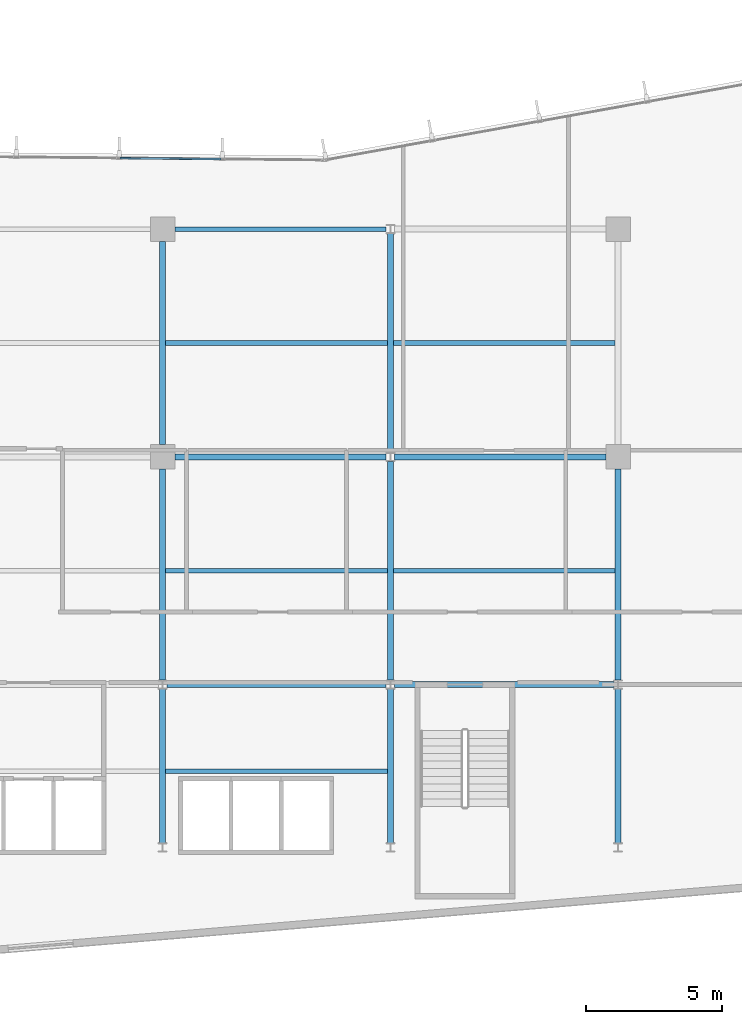
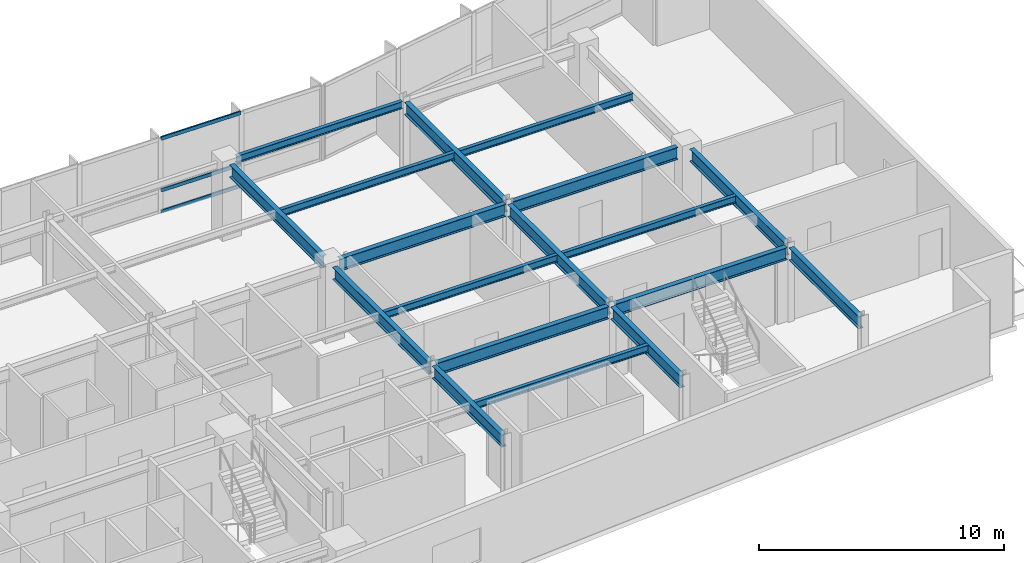
# One storey, part 5 of 18: 18 beams, 3 members, 1 element without a shape of its own.
"""IFC4 building model written with IfcOpenShell, lengths in metres."""

from ifc_helpers import new_model, si_unit, direction, frame, origin, origin_2d, place, context, subcontext, project, spatial, hollow_rectangle, i_section, extrude, material, layer, layer_set, material_profile, profile_set, type_object, element, aggregate, save


model = new_model("IFC4")

# Units and contexts
model_context = context("Model", 3, precision=1e-05, world=origin(), true_north=direction((0.0, 1.0)))
body_context = subcontext(model_context, "Body", "Model", "MODEL_VIEW")
ifc_project = project(units=[si_unit("LENGTHUNIT", "METRE"), si_unit("AREAUNIT", "SQUARE_METRE"), si_unit("VOLUMEUNIT", "CUBIC_METRE"), si_unit("PLANEANGLEUNIT", "RADIAN"), si_unit("MASSUNIT", "GRAM", prefix="KILO")], contexts=[model_context])

# Site, building, storey
site_placement = place(None, origin())
site = spatial("IfcSite", under=ifc_project, at=site_placement, CompositionType="ELEMENT")
building_placement = place(site_placement, origin())
building = spatial("IfcBuilding", under=site, at=building_placement, Name="Varnakote Quay Hospital", CompositionType="ELEMENT")
storey_placement = place(building_placement, frame((0.0, 0.0, 69.89990234375)))
storey = spatial("IfcBuildingStorey", under=building, at=storey_placement, Name="L17", CompositionType="ELEMENT", Elevation=69.89990234375)

# Beams
ifc_material_1 = material(Name="Structural steel AS/NZS 3679.1 Grade 350 L0 (fy 340 MPa)", Category="steel")
ifc_material_profile_1 = material_profile(ifc_material_1, i_section(OverallWidth=0.22900390625, OverallDepth=0.612060546875, WebThickness=0.011962890625, FlangeThickness=0.01953125, FilletRadius=0.013916015625, at=origin_2d()), Name="610UB125")
ifc_profile_set_1 = profile_set([ifc_material_profile_1], Name="Structural steel AS/NZS 3679.1 Grade 350 L0 (fy 340 MPa)")
beam_type_1 = type_object("IfcBeamType", Name="BM-STL-610UB125", PredefinedType="BEAM", material=ifc_profile_set_1)
for number, where, z_axis, x_axis, name in (
    (1, (33.755615234375, 12.0, 3.404052734375), (1.0, 0.0, 0.0), (0.0, 1.0, 0.0), "L17 Primary Floor Beam"),
    (2, (42.155517578125, 12.0, 3.404052734375), (1.0, 0.0, 0.0), (0.0, 1.0, 0.0), "L17 Primary Floor Beam"),
):
    element("IfcBeam", number, at=place(storey_placement, frame(where, z_axis=z_axis, x_axis=x_axis)), inside=storey, type_object=beam_type_1, Name=name, PredefinedType="BEAM", context=body_context, shape_type="SweptSolid", body=[
        extrude(i_section(OverallWidth=0.22900390625, OverallDepth=0.612060546875, WebThickness=0.011962890625, FlangeThickness=0.01953125, FilletRadius=0.013916015625, at=origin_2d()), origin(), (0.0, 0.0, 1.0), 8.0888671875),
    ])
for number, where, z_axis, x_axis, name in (
    (3, (34.050048828125, 20.39990234375, 3.404052734375), (1.0, 0.0, 0.0), (0.0, 1.0, 0.0), "L17 Primary Floor Beam"),
    (4, (42.155517578125, 20.39990234375, 3.404052734375), (1.0, 0.0, 0.0), (0.0, 1.0, 0.0), "L17 Primary Floor Beam"),
):
    element("IfcBeam", number, at=place(storey_placement, frame(where, z_axis=z_axis, x_axis=x_axis)), inside=storey, type_object=beam_type_1, Name=name, PredefinedType="BEAM", context=body_context, shape_type="SweptSolid", body=[
        extrude(i_section(OverallWidth=0.22900390625, OverallDepth=0.612060546875, WebThickness=0.011962890625, FlangeThickness=0.01953125, FilletRadius=0.013916015625, at=origin_2d()), origin(), (0.0, 0.0, 1.0), 7.79443359375),
    ])
beam_1_placement = place(storey_placement, frame((33.60009765625, 6.16357421875, 3.404052734375), z_axis=(0.0, 1.0, 0.0), x_axis=(-1.0, 0.0, 0.0)))
element("IfcBeam", 5, at=beam_1_placement, inside=storey, type_object=beam_type_1, Name="L17 Primary Tie Beam", PredefinedType="BEAM", context=body_context, shape_type="SweptSolid", body=[
    extrude(i_section(OverallWidth=0.22900390625, OverallDepth=0.612060546875, WebThickness=0.011962890625, FlangeThickness=0.01953125, FilletRadius=0.013916015625, at=origin_2d()), origin(), (0.0, 0.0, 1.0), 5.6728515625),
])
beam_2_placement = place(storey_placement, frame((33.60009765625, 12.16357421875, 3.404052734375), z_axis=(0.0, 1.0, 0.0), x_axis=(-1.0, 0.0, 0.0)))
element("IfcBeam", 6, at=beam_2_placement, inside=storey, type_object=beam_type_1, Name="L17 Primary Tie Beam", PredefinedType="BEAM", context=body_context, shape_type="SweptSolid", body=[
    extrude(i_section(OverallWidth=0.22900390625, OverallDepth=0.612060546875, WebThickness=0.011962890625, FlangeThickness=0.01953125, FilletRadius=0.013916015625, at=origin_2d()), origin(), (0.0, 0.0, 1.0), 7.786376953125),
])
beam_3_placement = place(storey_placement, frame((33.60009765625, 20.85009765625, 3.404052734375), z_axis=(0.0, 1.0, 0.0), x_axis=(-1.0, 0.0, 0.0)))
element("IfcBeam", 7, at=beam_3_placement, inside=storey, type_object=beam_type_1, Name="L17 Primary Tie Beam", PredefinedType="BEAM", context=body_context, shape_type="SweptSolid", body=[
    extrude(i_section(OverallWidth=0.22900390625, OverallDepth=0.612060546875, WebThickness=0.011962890625, FlangeThickness=0.01953125, FilletRadius=0.013916015625, at=origin_2d()), origin(), (0.0, 0.0, 1.0), 7.5),
])
beam_4_placement = place(storey_placement, frame((42.0, 6.16357421875, 3.404052734375), z_axis=(0.0, 1.0, 0.0), x_axis=(-1.0, 0.0, 0.0)))
element("IfcBeam", 8, at=beam_4_placement, inside=storey, type_object=beam_type_1, Name="L17 Primary Tie Beam", PredefinedType="BEAM", context=body_context, shape_type="SweptSolid", body=[
    extrude(i_section(OverallWidth=0.22900390625, OverallDepth=0.612060546875, WebThickness=0.011962890625, FlangeThickness=0.01953125, FilletRadius=0.013916015625, at=origin_2d()), origin(), (0.0, 0.0, 1.0), 5.6728515625),
])
for number, where, z_axis, x_axis, name in (
    (9, (42.0, 12.16357421875, 3.404052734375), (0.0, 1.0, 0.0), (-1.0, 0.0, 0.0), "L17 Primary Tie Beam"),
    (10, (42.0, 20.5634765625, 3.404052734375), (0.0, 1.0, 0.0), (-1.0, 0.0, 0.0), "L17 Primary Tie Beam"),
):
    element("IfcBeam", number, at=place(storey_placement, frame(where, z_axis=z_axis, x_axis=x_axis)), inside=storey, type_object=beam_type_1, Name=name, PredefinedType="BEAM", context=body_context, shape_type="SweptSolid", body=[
        extrude(i_section(OverallWidth=0.22900390625, OverallDepth=0.612060546875, WebThickness=0.011962890625, FlangeThickness=0.01953125, FilletRadius=0.013916015625, at=origin_2d()), origin(), (0.0, 0.0, 1.0), 8.072998046875),
    ])
beam_5_placement = place(storey_placement, frame((50.39990234375, 6.16357421875, 3.404052734375), z_axis=(0.0, 1.0, 0.0), x_axis=(-1.0, 0.0, 0.0)))
element("IfcBeam", 11, at=beam_5_placement, inside=storey, type_object=beam_type_1, Name="L17 Primary Tie Beam", PredefinedType="BEAM", context=body_context, shape_type="SweptSolid", body=[
    extrude(i_section(OverallWidth=0.22900390625, OverallDepth=0.612060546875, WebThickness=0.011962890625, FlangeThickness=0.01953125, FilletRadius=0.013916015625, at=origin_2d()), origin(), (0.0, 0.0, 1.0), 5.6728515625),
])
beam_6_placement = place(storey_placement, frame((50.39990234375, 12.16357421875, 3.404052734375), z_axis=(0.0, 1.0, 0.0), x_axis=(-1.0, 0.0, 0.0)))
element("IfcBeam", 12, at=beam_6_placement, inside=storey, type_object=beam_type_1, Name="L17 Primary Tie Beam", PredefinedType="BEAM", context=body_context, shape_type="SweptSolid", body=[
    extrude(i_section(OverallWidth=0.22900390625, OverallDepth=0.612060546875, WebThickness=0.011962890625, FlangeThickness=0.01953125, FilletRadius=0.013916015625, at=origin_2d()), origin(), (0.0, 0.0, 1.0), 7.786376953125),
])

# Curtain wall, members
ifc_material_2 = material(Name="Anodised aluminium 6063-T6 Bronze", Category="aluminium")
ifc_layer = layer(ifc_material_2, 0.18994140625)
ifc_layer_set = layer_set([ifc_layer], Name="Anodised aluminium 6063-T6 Bronze")
curtain_wall_type = type_object("IfcCurtainWallType", Name="CW-SYS-2", PredefinedType="NOTDEFINED", material=ifc_layer_set)
curtain_wall_placement = place(storey_placement, origin())
curtain_wall = element("IfcCurtainWall", 13, at=curtain_wall_placement, inside=storey, type_object=curtain_wall_type, Name="L17 Unitised Bronze Curtain Wall 2", PredefinedType="NOTDEFINED")
ifc_material_3 = material(Name="Anodised aluminium 6063-T6 Bronze", Category="aluminium")
ifc_material_profile_2 = material_profile(ifc_material_3, hollow_rectangle(XDim=0.074951171875, YDim=0.179931640625, WallThickness=0.004150390625, InnerFilletRadius=0.004150390625, OuterFilletRadius=0.00830078125, at=origin_2d()), Name="CW-TRAN-180x75")
ifc_profile_set_2 = profile_set([ifc_material_profile_2], Name="Anodised aluminium 6063-T6 Bronze")
member_type = type_object("IfcMemberType", Name="CW-TRAN-180x75", PredefinedType="USERDEFINED", material=ifc_profile_set_2)
member_1_placement = place(storey_placement, frame((35.756591796875, 31.38134765625, 0.03759765625), z_axis=(-0.999952203239, 0.009777077123, 0.0), x_axis=(-0.009777077123, -0.999952203239, 0.0)))
member_1 = element("IfcMember", 14, at=member_1_placement, type_object=member_type, Name="-2-L17-2 transom 2.1", ObjectType="TRANSOM", PredefinedType="USERDEFINED", context=body_context, shape_type="SweptSolid", body=[
    extrude(hollow_rectangle(XDim=0.074951171875, YDim=0.179931640625, WallThickness=0.004150390625, InnerFilletRadius=0.004150390625, OuterFilletRadius=0.00830078125, at=origin_2d()), origin(), (0.0, 0.0, 1.0), 3.720703125),
])
member_2_placement = place(storey_placement, frame((35.756591796875, 31.38134765625, 1.10009765625), z_axis=(-0.999952203239, 0.009777077123, 0.0), x_axis=(-0.009777077123, -0.999952203239, 0.0)))
member_2 = element("IfcMember", 15, at=member_2_placement, type_object=member_type, Name="-2-L17-2 transom 2.2", ObjectType="TRANSOM", PredefinedType="USERDEFINED", context=body_context, shape_type="SweptSolid", body=[
    extrude(hollow_rectangle(XDim=0.074951171875, YDim=0.179931640625, WallThickness=0.004150390625, InnerFilletRadius=0.004150390625, OuterFilletRadius=0.00830078125, at=origin_2d()), origin(), (0.0, 0.0, 1.0), 3.720703125),
])
member_3_placement = place(storey_placement, frame((35.756591796875, 31.38134765625, 3.672607421875), z_axis=(-0.999952203239, 0.009777077123, 0.0), x_axis=(-0.009777077123, -0.999952203239, 0.0)))
member_3 = element("IfcMember", 16, at=member_3_placement, type_object=member_type, Name="-2-L17-2 transom 2.3", ObjectType="TRANSOM", PredefinedType="USERDEFINED", context=body_context, shape_type="SweptSolid", body=[
    extrude(hollow_rectangle(XDim=0.074951171875, YDim=0.179931640625, WallThickness=0.004150390625, InnerFilletRadius=0.004150390625, OuterFilletRadius=0.00830078125, at=origin_2d()), origin(), (0.0, 0.0, 1.0), 3.720703125),
])
aggregate(curtain_wall, [member_1, member_2, member_3])

# Beams
ifc_material_4 = material(Name="Structural steel AS/NZS 3679.1 Grade 350 L0 (fy 340 MPa)", Category="steel")
ifc_material_profile_3 = material_profile(ifc_material_4, i_section(OverallWidth=0.1708984375, OverallDepth=0.35595703125, WebThickness=0.00732421875, FlangeThickness=0.011474609375, FilletRadius=0.011474609375, at=origin_2d()), Name="360UB50.7")
ifc_profile_set_3 = profile_set([ifc_material_profile_3], Name="Structural steel AS/NZS 3679.1 Grade 350 L0 (fy 340 MPa)")
beam_type_2 = type_object("IfcBeamType", Name="JST-STL-360UB50-7", PredefinedType="JOIST", material=ifc_profile_set_3)
for number, where, z_axis, x_axis, name in (
    (17, (33.714599609375, 8.800048828125, 3.531982421875), (1.0, 0.0, 0.0), (0.0, 1.0, 0.0), "L17 Composite Floor Joist"),
    (18, (33.714599609375, 16.199951171875, 3.531982421875), (1.0, 0.0, 0.0), (0.0, 1.0, 0.0), "L17 Composite Floor Joist"),
    (19, (42.114501953125, 16.199951171875, 3.531982421875), (1.0, 0.0, 0.0), (0.0, 1.0, 0.0), "L17 Composite Floor Joist"),
    (20, (33.714599609375, 24.60009765625, 3.531982421875), (1.0, 0.0, 0.0), (0.0, 1.0, 0.0), "L17 Composite Floor Joist"),
    (21, (42.114501953125, 24.60009765625, 3.531982421875), (1.0, 0.0, 0.0), (0.0, 1.0, 0.0), "L17 Composite Floor Joist"),
):
    element("IfcBeam", number, at=place(storey_placement, frame(where, z_axis=z_axis, x_axis=x_axis)), inside=storey, type_object=beam_type_2, Name=name, PredefinedType="JOIST", context=body_context, shape_type="SweptSolid", body=[
        extrude(i_section(OverallWidth=0.1708984375, OverallDepth=0.35595703125, WebThickness=0.00732421875, FlangeThickness=0.011474609375, FilletRadius=0.011474609375, at=origin_2d()), origin(), (0.0, 0.0, 1.0), 8.1708984375),
    ])
ifc_material_5 = material(Name="Structural steel AS/NZS 3679.1 Grade 350 L0 (fy 340 MPa)", Category="steel")
ifc_material_profile_4 = material_profile(ifc_material_5, i_section(OverallWidth=0.172119140625, OverallDepth=0.35888671875, WebThickness=0.008056640625, FlangeThickness=0.012939453125, FilletRadius=0.011474609375, at=origin_2d()), Name="360UB56.7")
ifc_profile_set_4 = profile_set([ifc_material_profile_4], Name="Structural steel AS/NZS 3679.1 Grade 350 L0 (fy 340 MPa)")
beam_type_3 = type_object("IfcBeamType", Name="SPN-STL-360UB56-7", PredefinedType="SPANDREL", material=ifc_profile_set_4)
beam_7_placement = place(storey_placement, frame((34.050048828125, 28.800048828125, 3.530517578125), z_axis=(1.0, 0.0, 0.0), x_axis=(0.0, 1.0, 0.0)))
element("IfcBeam", 22, at=beam_7_placement, inside=storey, type_object=beam_type_3, Name="L17 Perimeter Spandrel Beam", PredefinedType="SPANDREL", context=body_context, shape_type="SweptSolid", body=[
    extrude(i_section(OverallWidth=0.172119140625, OverallDepth=0.35888671875, WebThickness=0.008056640625, FlangeThickness=0.012939453125, FilletRadius=0.011474609375, at=origin_2d()), origin(), (0.0, 0.0, 1.0), 7.79443359375),
])

save(model, "model.ifc")
